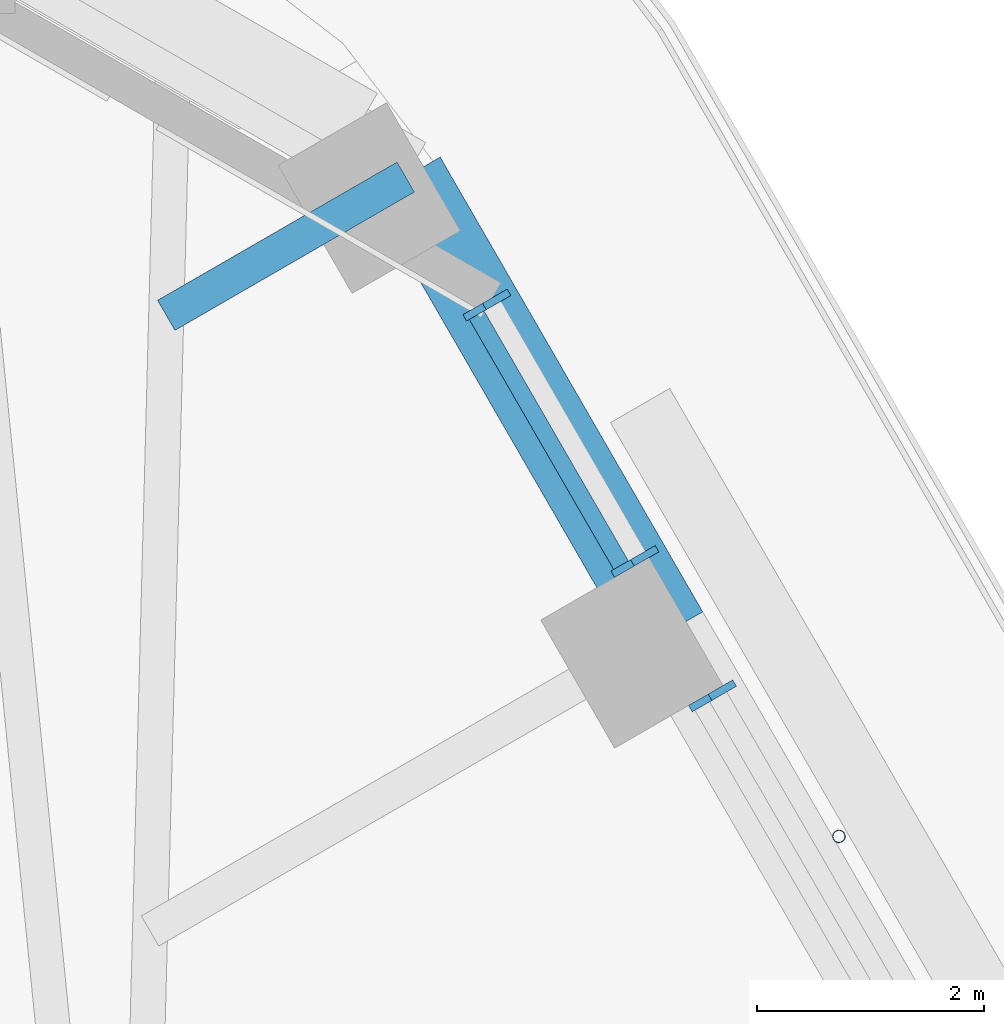
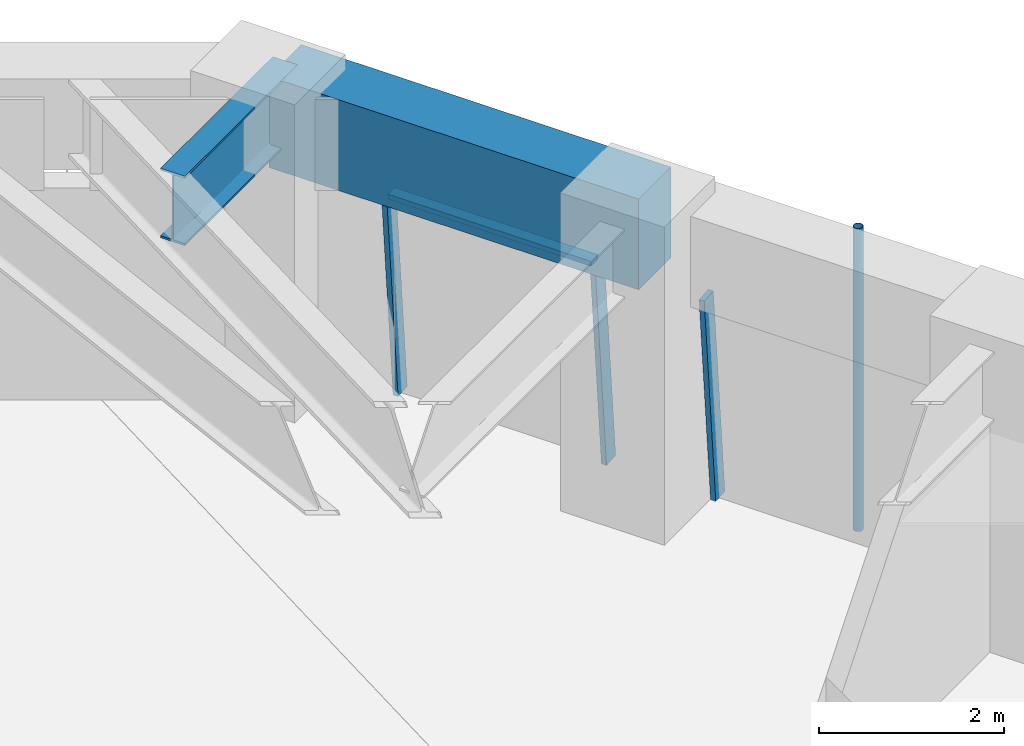
# One storey, part 12 of 20: 5 members, 2 beams, 2 elements without a shape of their own.
"""IFC4 building model written with IfcOpenShell, lengths in metres."""

import ifcopenshell
import ifcopenshell.guid

model = None  # the IFC model being written
_history = None  # IfcOwnerHistory: only IFC2X3 demands one
_inside = {}  # id of a spatial element -> (the spatial element, [elements in it])
_under = {}  # id of a project, library or spatial element -> (it, [spatial elements below it])
_declared = {}  # id of a project -> (the project, [libraries it declares])
_typed = {}  # id of a type object -> (the type object, [elements of that type])
_made_of = {}  # id of a material, layer set ... -> (it, [elements and type objects made of it])


def new_model(schema):
    """Start an empty IFC model of exactly this schema.

    Asked for "IFC4X3", IfcOpenShell would pick the latest addendum, in which some entities
    have other attributes; the version numbers below select the first issue.
    IFC2X3 requires an IfcOwnerHistory on every rooted entity: one is made here for all.
    """
    global model, _history
    if schema == "IFC4X3":
        model = ifcopenshell.file(schema_version=(4, 3, 0, 0))
    else:
        model = ifcopenshell.file(schema=schema)
    _inside.clear()
    _under.clear()
    _declared.clear()
    _typed.clear()
    _made_of.clear()
    _history = None
    if model.schema == "IFC2X3":
        org = make("IfcOrganization", Name="unknown")
        user = make(
            "IfcPersonAndOrganization",
            ThePerson=make("IfcPerson", FamilyName="unknown"),
            TheOrganization=org,
        )
        app = make(
            "IfcApplication",
            ApplicationDeveloper=org,
            Version="unknown",
            ApplicationFullName="unknown",
            ApplicationIdentifier="unknown",
        )
        _history = make(
            "IfcOwnerHistory",
            OwningUser=user,
            OwningApplication=app,
            ChangeAction="ADDED",
            CreationDate=0,
        )
    return model


def make(cls, **values):
    """One entity of the class cls with the attributes given. An attribute that is None is left unset."""
    return model.create_entity(
        cls, **{name: value for name, value in values.items() if value is not None}
    )


def rooted(cls, **values):
    """An entity with a GlobalId (a new one), such as an element, a storey or a relation."""
    return make(cls, GlobalId=ifcopenshell.guid.new(), OwnerHistory=_history, **values)


def si_unit(unit_type, name, prefix=None):
    """IfcSIUnit, for example si_unit("LENGTHUNIT", "METRE", prefix="MILLI")."""
    return make("IfcSIUnit", UnitType=unit_type, Prefix=prefix, Name=name)


def assignment(units):
    """IfcUnitAssignment: the units of a project."""
    return None if units is None else make("IfcUnitAssignment", Units=units)


def point(xyz):
    """IfcCartesianPoint."""
    return None if xyz is None else make("IfcCartesianPoint", Coordinates=xyz)


def direction(xyz):
    """IfcDirection."""
    return None if xyz is None else make("IfcDirection", DirectionRatios=xyz)


def frame(location, z_axis=None, x_axis=None):
    """IfcAxis2Placement3D, a coordinate frame: its origin and axes. An axis left out is left unset."""
    return make(
        "IfcAxis2Placement3D",
        Location=point(location),
        Axis=direction(z_axis),
        RefDirection=direction(x_axis),
    )


def frame_2d(location, x_axis=None):
    """IfcAxis2Placement2D, a coordinate frame in the plane: its origin and x axis."""
    return make(
        "IfcAxis2Placement2D", Location=point(location), RefDirection=direction(x_axis)
    )


def origin():
    """The frame at (0, 0, 0) with its axes left unset."""
    return frame((0.0, 0.0, 0.0))


def origin_2d():
    """The frame at (0, 0) in the plane with its x axis left unset."""
    return frame_2d((0.0, 0.0))


def place(relative_to, where):
    """IfcLocalPlacement: puts the frame where relative to a parent placement (None: the world)."""
    return make(
        "IfcLocalPlacement", PlacementRelTo=relative_to, RelativePlacement=where
    )


def context(
    kind, dimensions, precision=None, world=None, true_north=None, identifier=None
):
    """IfcGeometricRepresentationContext, for example the 3D "Model" context."""
    return make(
        "IfcGeometricRepresentationContext",
        ContextIdentifier=identifier,
        ContextType=kind,
        CoordinateSpaceDimension=dimensions,
        Precision=precision,
        WorldCoordinateSystem=world,
        TrueNorth=true_north,
    )


def subcontext(parent, identifier, kind, view, scale=None):
    """IfcGeometricRepresentationSubContext, for example "Body" below "Model"."""
    return make(
        "IfcGeometricRepresentationSubContext",
        ContextIdentifier=identifier,
        ContextType=kind,
        ParentContext=parent,
        TargetScale=scale,
        TargetView=view,
    )


def project(units=None, contexts=None):
    """IfcProject with its units and contexts."""
    return rooted(
        "IfcProject",
        Name="project",
        RepresentationContexts=contexts,
        UnitsInContext=assignment(units),
    )


def spatial(cls, under=None, at=None, **own):
    """A site, building, storey or space (cls), placed at a placement, below another one or the project."""
    s = rooted(cls, ObjectPlacement=at, **own)
    if under is not None:
        _under.setdefault(under.id(), (under, []))[1].append(s)
    return s


def profile(cls, at=None, kind="AREA", **sizes):
    """A parametric profile (cls). Its sizes go by their IFC names, for example OverallWidth=200.0."""
    return make(cls, ProfileType=kind, Position=at, **sizes)


def rectangle(**sizes):
    """IfcRectangleProfileDef."""
    return profile("IfcRectangleProfileDef", **sizes)


def hollow_circle(**sizes):
    """IfcCircleHollowProfileDef."""
    return profile("IfcCircleHollowProfileDef", **sizes)


def i_section(**sizes):
    """IfcIShapeProfileDef."""
    return profile("IfcIShapeProfileDef", **sizes)


def extrude(swept, where, along, depth):
    """IfcExtrudedAreaSolid: the profile swept, set in the frame where, extruded along a direction by depth."""
    return make(
        "IfcExtrudedAreaSolid",
        SweptArea=swept,
        Position=where,
        ExtrudedDirection=direction(along),
        Depth=depth,
    )


def shape(context_of_items, identifier, shape_type, items):
    """IfcShapeRepresentation: the items that make up one representation, for example the "Body"."""
    return make(
        "IfcShapeRepresentation",
        ContextOfItems=context_of_items,
        RepresentationIdentifier=identifier,
        RepresentationType=shape_type,
        Items=items,
    )


def material(Name=None, Category=None):
    """IfcMaterial."""
    return make("IfcMaterial", Name=Name, Category=Category)


def material_profile(
    of_material, cross_section, Name=None, Category=None, Priority=None
):
    """IfcMaterialProfile: a cross section and its material."""
    return make(
        "IfcMaterialProfile",
        Name=Name,
        Material=of_material,
        Profile=cross_section,
        Priority=Priority,
        Category=Category,
    )


def profile_set(profiles, Name=None, composite=None):
    """IfcMaterialProfileSet."""
    return make(
        "IfcMaterialProfileSet",
        Name=Name,
        MaterialProfiles=profiles,
        CompositeProfile=composite,
    )


def made_of(thing, what):
    """Note that an element or type object is made of a material, layer set ...; save() writes the relation."""
    if what is not None:
        _made_of.setdefault(what.id(), (what, []))[1].append(thing)
    return thing


def type_object(cls, material=None, **own):
    """A type object (cls), such as IfcWallType, which elements share."""
    return made_of(rooted(cls, **own), material)


def element(
    cls,
    number,
    at=None,
    inside=None,
    cuts=None,
    type_object=None,
    material=None,
    context=None,
    identifier="Body",
    shape_type=None,
    held_by="IfcProductDefinitionShape",
    body=None,
    shapes=None,
    **own,
):
    """One element of the class cls, such as IfcWall. Its Tag is "e" and its number.

    at: its placement. inside: the storey or other place that contains it. cuts: it is an
    opening in that element (IfcRelVoidsElement). A single representation is given by context,
    identifier, shape_type and body (its items); several are given by shapes. held_by: the class
    of the entity that holds the representations. save() writes the other relations.
    """
    e = rooted(cls, Tag="e%d" % number, ObjectPlacement=at, **own)
    if body is not None:
        shapes = [shape(context, identifier, shape_type, body)]
    if shapes is not None:
        e.Representation = make(held_by, Representations=shapes)
    if inside is not None:
        _inside.setdefault(inside.id(), (inside, []))[1].append(e)
    if cuts is not None:
        rooted(
            "IfcRelVoidsElement", RelatingBuildingElement=cuts, RelatedOpeningElement=e
        )
    if type_object is not None:
        _typed.setdefault(type_object.id(), (type_object, []))[1].append(e)
    return made_of(e, material)


def aggregate(whole, parts):
    """IfcRelAggregates: a whole, such as a stair, and the parts it consists of."""
    return rooted("IfcRelAggregates", RelatingObject=whole, RelatedObjects=parts)


def save(model, path):
    """Write the relations noted so far, then the file.

    IfcRelAggregates (storeys below a building ...), IfcRelContainedInSpatialStructure (elements
    in a storey), IfcRelDefinesByType, IfcRelAssociatesMaterial and IfcRelDeclares: one each for
    every whole, place, type object, material and project.
    """
    for whole, parts in _under.values():
        aggregate(whole, parts)
    for where, things in _inside.values():
        rooted(
            "IfcRelContainedInSpatialStructure",
            RelatedElements=things,
            RelatingStructure=where,
        )
    for kind, things in _typed.values():
        rooted("IfcRelDefinesByType", RelatedObjects=things, RelatingType=kind)
    for what, things in _made_of.values():
        rooted("IfcRelAssociatesMaterial", RelatedObjects=things, RelatingMaterial=what)
    for by, libraries in _declared.values():
        rooted("IfcRelDeclares", RelatingContext=by, RelatedDefinitions=libraries)
    model.write(path)


model = new_model("IFC4")

# Units and contexts
model_context = context("Model", 3, precision=1e-05, world=origin(), true_north=direction((0.0, 1.0)))
body_context = subcontext(model_context, "Body", "Model", "MODEL_VIEW")
ifc_project = project(units=[si_unit("LENGTHUNIT", "METRE"), si_unit("AREAUNIT", "SQUARE_METRE"), si_unit("VOLUMEUNIT", "CUBIC_METRE"), si_unit("PLANEANGLEUNIT", "RADIAN"), si_unit("MASSUNIT", "GRAM", prefix="KILO")], contexts=[model_context])

# Site, building, storey
site_placement = place(None, origin())
site = spatial("IfcSite", under=ifc_project, at=site_placement, CompositionType="ELEMENT")
building_placement = place(site_placement, origin())
building = spatial("IfcBuilding", under=site, at=building_placement, Name="Tarfa Lantern Tower", CompositionType="ELEMENT")
storey_placement = place(building_placement, frame((0.0, 0.0, 249.10009765625)))
storey = spatial("IfcBuildingStorey", under=building, at=storey_placement, Name="L56", CompositionType="ELEMENT", Elevation=249.10009765625)

# Curtain wall, member
ifc_material_1 = material(Name="Aluminium framed curtain wall", Category="aluminium")
curtain_wall_type = type_object("IfcCurtainWallType", Name="CW3 CANTED GLAZING HIGH ZONE 2800", PredefinedType="USERDEFINED", material=ifc_material_1)
curtain_wall_1_placement = place(storey_placement, origin())
curtain_wall_1 = element("IfcCurtainWall", 1, at=curtain_wall_1_placement, inside=storey, type_object=curtain_wall_type, Name="CW3 NE L56", ObjectType="CURTAIN WALL", PredefinedType="USERDEFINED")
ifc_material_2 = material(Name="Aluminium mullion", Category="aluminium")
ifc_material_profile_1 = material_profile(ifc_material_2, rectangle(XDim=0.06494140625, YDim=0.199951171875, at=origin_2d()), Name="AL MULLION 65x200")
ifc_profile_set_1 = profile_set([ifc_material_profile_1], Name="Aluminium mullion")
member_type_1 = type_object("IfcMemberType", Name="CWM1 MULLION 65x200", PredefinedType="MULLION", material=ifc_profile_set_1)
member_1_placement = place(storey_placement, frame((20.75048828125, 21.85888671875, 0.0), z_axis=(-0.07695271188, -0.044469287226, 0.996042550611), x_axis=(0.500342721131, -0.865827443207, 0.0)))
member_1 = element("IfcMember", 2, at=member_1_placement, type_object=member_type_1, Name="CW3 mullion 2", PredefinedType="MULLION", context=body_context, shape_type="SweptSolid", body=[
    extrude(rectangle(XDim=0.06494140625, YDim=0.199951171875, at=origin_2d()), origin(), (0.0, 0.0, 1.0), 2.81103515625),
])
aggregate(curtain_wall_1, [member_1])

# Curtain wall, members
curtain_wall_2_placement = place(storey_placement, origin())
curtain_wall_2 = element("IfcCurtainWall", 3, at=curtain_wall_2_placement, inside=storey, type_object=curtain_wall_type, Name="CW3 NE L56", ObjectType="CURTAIN WALL", PredefinedType="USERDEFINED")
member_2_placement = place(storey_placement, frame((20.068115234375, 23.041015625, 0.0), z_axis=(-0.077039050765, -0.044468989844, 0.996035889715), x_axis=(0.499919672301, -0.866071776036, 0.0)))
member_2 = element("IfcMember", 4, at=member_2_placement, type_object=member_type_1, Name="CW3 mullion 1", PredefinedType="MULLION", context=body_context, shape_type="SweptSolid", body=[
    extrude(rectangle(XDim=0.06494140625, YDim=0.199951171875, at=origin_2d()), origin(), (0.0, 0.0, 1.0), 2.81103515625),
])
member_3_placement = place(storey_placement, frame((18.76611328125, 25.296142578125, 0.0), z_axis=(-0.077039050765, -0.044468989844, 0.996035889715), x_axis=(0.499919672301, -0.866071776036, 0.0)))
member_3 = element("IfcMember", 5, at=member_3_placement, type_object=member_type_1, Name="CW3 mullion 2", PredefinedType="MULLION", context=body_context, shape_type="SweptSolid", body=[
    extrude(rectangle(XDim=0.06494140625, YDim=0.199951171875, at=origin_2d()), origin(), (0.0, 0.0, 1.0), 2.81103515625),
])
ifc_material_3 = material(Name="Aluminium transom", Category="aluminium")
ifc_material_profile_2 = material_profile(ifc_material_3, rectangle(XDim=0.14990234375, YDim=0.06494140625, at=origin_2d()), Name="AL TRANSOM 150x65")
ifc_profile_set_2 = profile_set([ifc_material_profile_2], Name="Aluminium transom")
member_type_2 = type_object("IfcMemberType", Name="CWT1 TRANSOM 150x65", PredefinedType="USERDEFINED", material=ifc_profile_set_2)
member_4_placement = place(storey_placement, frame((19.837890625, 22.945556640625, 2.767333984375), z_axis=(-0.500027655771, 0.866009436129, 0.0), x_axis=(-0.866009436129, -0.500027655771, 0.0)))
member_4 = element("IfcMember", 6, at=member_4_placement, type_object=member_type_2, Name="CW3 transom 1.2", ObjectType="TRANSOM", PredefinedType="USERDEFINED", context=body_context, shape_type="SweptSolid", body=[
    extrude(rectangle(XDim=0.14990234375, YDim=0.06494140625, at=origin_2d()), origin(), (0.0, 0.0, 1.0), 2.538818359375),
])
aggregate(curtain_wall_2, [member_2, member_3, member_4])

# Beam
ifc_material_4 = material(Name="Concrete C80/95", Category="concrete")
ifc_material_profile_3 = material_profile(ifc_material_4, rectangle(XDim=0.699951171875, YDim=1.199951171875, at=origin_2d()), Name="RC 700x1200")
ifc_profile_set_3 = profile_set([ifc_material_profile_3], Name="Concrete C80/95")
beam_type_1 = type_object("IfcBeamType", Name="EB3 RC 700x1200", PredefinedType="SPANDREL", material=ifc_profile_set_3)
beam_1_placement = place(storey_placement, frame((20.25341796875, 22.360107421875, 3.39990234375), z_axis=(-0.499987836815, 0.866032426089, 0.0), x_axis=(-0.866032426089, -0.499987836815, 0.0)))
element("IfcBeam", 7, at=beam_1_placement, inside=storey, type_object=beam_type_1, Name="Edge beam NE5", PredefinedType="SPANDREL", context=body_context, shape_type="SweptSolid", body=[
    extrude(rectangle(XDim=0.699951171875, YDim=1.199951171875, at=origin_2d()), origin(), (0.0, 0.0, 1.0), 4.61865234375),
])

# Member
ifc_material_5 = material(Name="Steel S355", Category="steel")
ifc_material_profile_4 = material_profile(ifc_material_5, hollow_circle(Radius=0.05712890625, WallThickness=0.00634765625, at=origin_2d()), Name="CHS114.3x6.3")
ifc_profile_set_4 = profile_set([ifc_material_profile_4], Name="Steel S355")
member_type_3 = type_object("IfcMemberType", Name="TR1 GREEN WALL TRELLIS CHS114.3x6.3", PredefinedType="USERDEFINED", material=ifc_profile_set_4)
member_5_placement = place(storey_placement, frame((21.754638671875, 20.56005859375, 0.0), z_axis=(0.0, 0.0, 1.0), x_axis=(1.0, 0.0, 0.0)))
element("IfcMember", 8, at=member_5_placement, inside=storey, type_object=member_type_3, Name="Trellis post NE 2", ObjectType="TRELLIS", PredefinedType="USERDEFINED", context=body_context, shape_type="SweptSolid", body=[
    extrude(hollow_circle(Radius=0.05712890625, WallThickness=0.00634765625, at=origin_2d()), origin(), (0.0, 0.0, 1.0), 4.0),
])

# Beam
ifc_material_6 = material(Name="Steel S460M", Category="steel")
ifc_material_profile_5 = material_profile(ifc_material_6, i_section(OverallWidth=0.305419921875, OverallDepth=0.91845703125, WebThickness=0.017333984375, FlangeThickness=0.02783203125, FilletRadius=0.01904296875, at=origin_2d()), Name="UB914x305x253")
ifc_profile_set_5 = profile_set([ifc_material_profile_5], Name="Steel S460M")
beam_type_2 = type_object("IfcBeamType", Name="UB914x305x253", PredefinedType="BEAM", material=ifc_profile_set_5)
beam_2_placement = place(storey_placement, frame((17.944091796875, 26.360107421875, 3.540771484375), z_axis=(-0.865980009423, -0.5000786171, 0.0), x_axis=(0.5000786171, -0.865980009423, 0.0)))
element("IfcBeam", 9, at=beam_2_placement, inside=storey, type_object=beam_type_2, Name="Floor beam NE6", PredefinedType="BEAM", context=body_context, shape_type="SweptSolid", body=[
    extrude(i_section(OverallWidth=0.305419921875, OverallDepth=0.91845703125, WebThickness=0.017333984375, FlangeThickness=0.02783203125, FilletRadius=0.01904296875, at=origin_2d()), origin(), (0.0, 0.0, 1.0), 2.4326171875),
])

save(model, "model.ifc")
